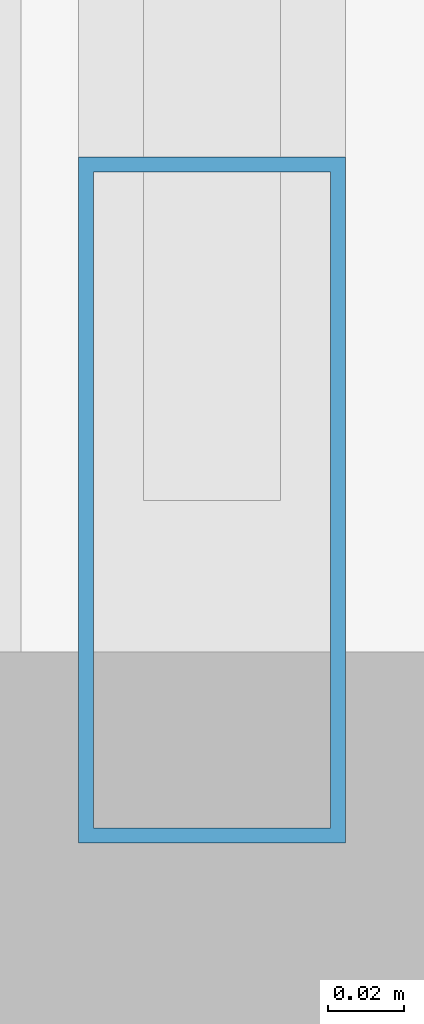
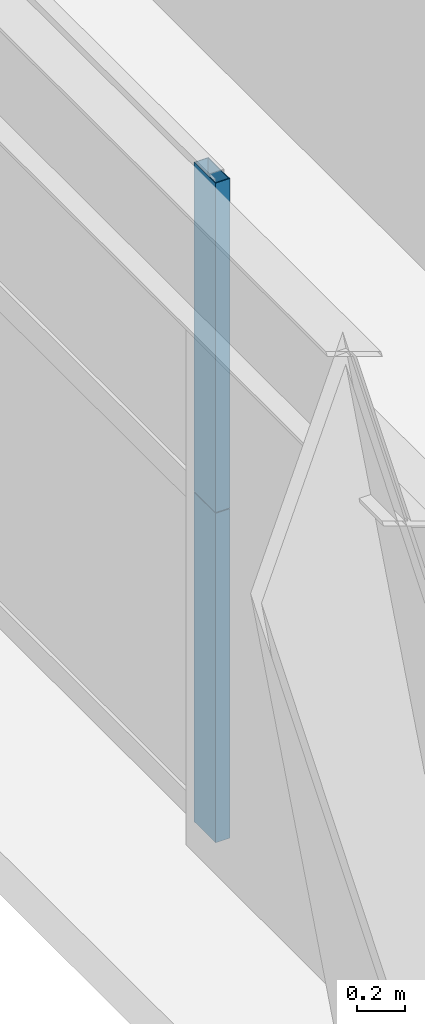
# One storey, part 6 of 43: 2 members, 1 element without a shape of its own.
"""IFC4 building model written with IfcOpenShell, lengths in metres."""

from ifc_helpers import new_model, si_unit, direction, frame, origin, origin_2d, place, context, subcontext, project, spatial, hollow_rectangle, extrude, source, transform, mapped, material, layer, layer_set, material_profile, profile_set, type_object, element, aggregate, save


model = new_model("IFC4")

# Units and contexts
model_context = context("Model", 3, precision=1e-05, world=origin(), true_north=direction((0.0, 1.0)))
body_context = subcontext(model_context, "Body", "Model", "MODEL_VIEW")
ifc_project = project(units=[si_unit("LENGTHUNIT", "METRE"), si_unit("AREAUNIT", "SQUARE_METRE"), si_unit("VOLUMEUNIT", "CUBIC_METRE"), si_unit("PLANEANGLEUNIT", "RADIAN"), si_unit("MASSUNIT", "GRAM", prefix="KILO"), si_unit("THERMODYNAMICTEMPERATUREUNIT", "KELVIN"), si_unit("POWERUNIT", "WATT")], contexts=[model_context])

# Site, building, storey
site_placement = place(None, origin())
site = spatial("IfcSite", under=ifc_project, at=site_placement, CompositionType="ELEMENT")
building_placement = place(site_placement, origin())
building = spatial("IfcBuilding", under=site, at=building_placement, Name="Yuzanri Waterfront Tower", CompositionType="ELEMENT")
storey_placement = place(building_placement, frame((0.0, 0.0, 101.0)))
storey = spatial("IfcBuildingStorey", under=building, at=storey_placement, Name="L26", CompositionType="ELEMENT", Elevation=101.0)

# Curtain wall, members
ifc_material_1 = material(Name="Anodized Architectural Bronze", Category="metal")
ifc_layer = layer(ifc_material_1, 0.159912109375)
ifc_layer_set = layer_set([ifc_layer], Name="Anodized Architectural Bronze")
curtain_wall_type = type_object("IfcCurtainWallType", Name="Anodized Bronze Hotel Upper-Tier Solar-Control Unitized Curtain Wall 7800", PredefinedType="NOTDEFINED", material=ifc_layer_set)
curtain_wall_placement = place(storey_placement, origin())
curtain_wall = element("IfcCurtainWall", 1, at=curtain_wall_placement, inside=storey, type_object=curtain_wall_type, Name="L26 Curtain Wall CW-L26-WL", PredefinedType="NOTDEFINED")
ifc_material_2 = material(Name="Anodized Architectural Bronze", Category="metal")
ifc_material_profile = material_profile(ifc_material_2, hollow_rectangle(XDim=0.070068359375, YDim=0.179931640625, WallThickness=0.00390625, at=origin_2d()), Name="CWM 70x180")
ifc_profile_set = profile_set([ifc_material_profile], Name="Anodized Architectural Bronze")
member_type = type_object("IfcMemberType", Name="Anodized Bronze Standard Curtain-Wall Mullion 70x180", PredefinedType="MULLION", material=ifc_profile_set)
shared_shape = source(origin(), body_context, "Body", "SweptSolid", [
    extrude(hollow_rectangle(XDim=0.070068359375, YDim=0.179931640625, WallThickness=0.00390625, at=origin_2d()), origin(), (0.0, 0.0, 1.0), 1.68798828125),
])
member_1_placement = place(storey_placement, frame((13.550048828125, 9.590087890625, 0.0), z_axis=(0.0, 0.0, 1.0), x_axis=(1.0, 0.0, 0.0)))
member_1 = element("IfcMember", 2, at=member_1_placement, type_object=member_type, Name="CW-L26-WL Lower Mullion 00", PredefinedType="MULLION", context=body_context, shape_type="MappedRepresentation", body=[
    mapped(shared_shape, transform((0.0, 0.0, 0.0), scale=1.0)),
])
member_2_placement = place(storey_placement, frame((13.550048828125, 9.590087890625, 1.69189453125), z_axis=(0.0, 0.0, 1.0), x_axis=(1.0, 0.0, 0.0)))
member_2 = element("IfcMember", 3, at=member_2_placement, type_object=member_type, Name="CW-L26-WL Upper Mullion 00", PredefinedType="MULLION", context=body_context, shape_type="MappedRepresentation", body=[
    mapped(shared_shape, transform((0.0, 0.0, 0.0), scale=1.0)),
])
aggregate(curtain_wall, [member_1, member_2])

save(model, "model.ifc")
